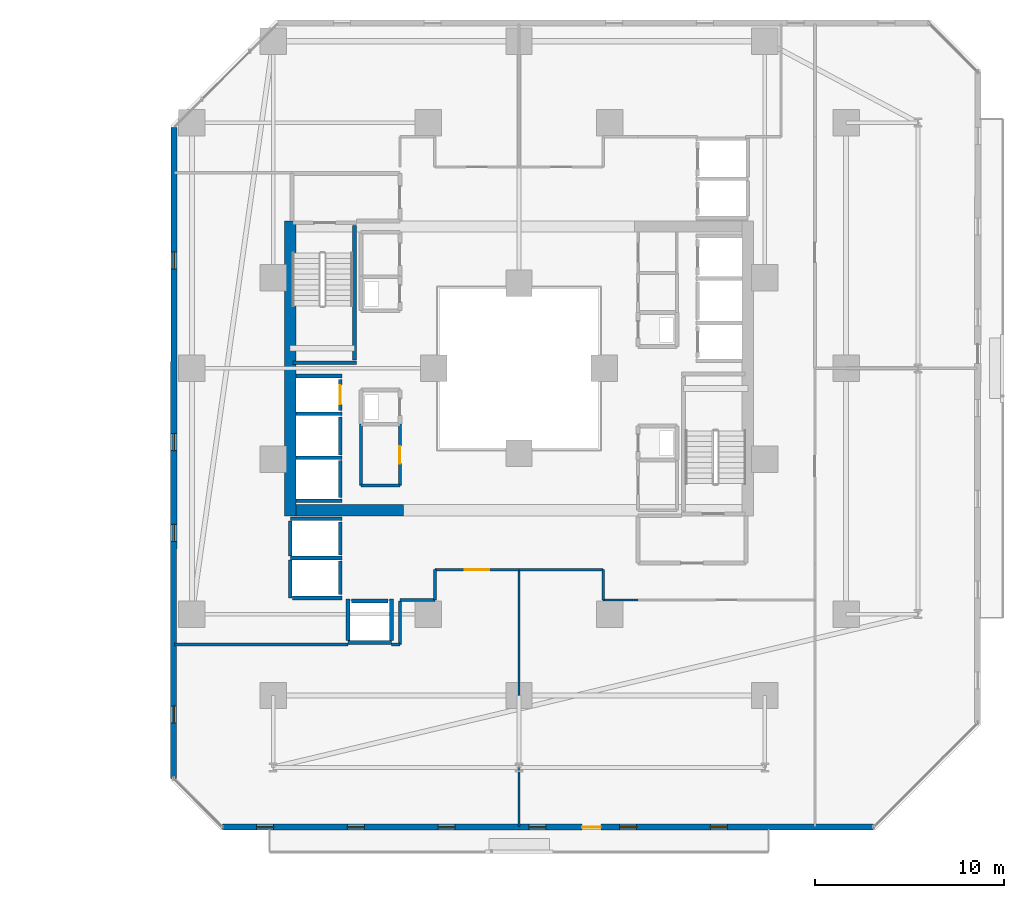
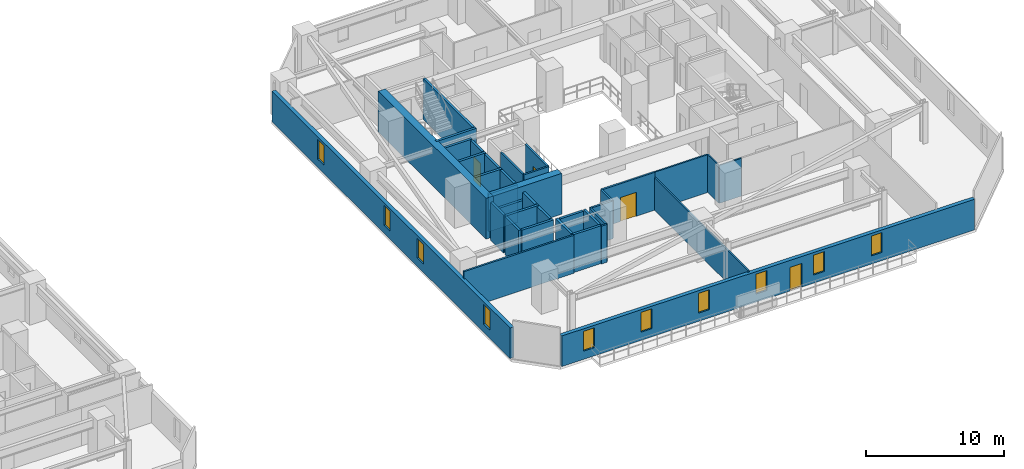
# One storey, part 22 of 33: 37 walls, 10 windows, 4 doors, 14 openings.
"""IFC4 building model written with IfcOpenShell, lengths in metres."""

from ifc_helpers import new_model, si_unit, direction, frame, frame_2d, origin, place, context, subcontext, project, spatial, rectangle, extrude, material, layer, layer_set, type_object, element, fill, save


model = new_model("IFC4")

# Units and contexts
model_context = context("Model", 3, precision=1e-05, world=origin(), true_north=direction((0.0, 1.0)))
body_context = subcontext(model_context, "Body", "Model", "MODEL_VIEW")
ifc_project = project(units=[si_unit("LENGTHUNIT", "METRE"), si_unit("AREAUNIT", "SQUARE_METRE"), si_unit("VOLUMEUNIT", "CUBIC_METRE"), si_unit("PLANEANGLEUNIT", "RADIAN"), si_unit("MASSUNIT", "GRAM", prefix="KILO")], contexts=[model_context])

# Site, building, storey
site_placement = place(None, origin())
site = spatial("IfcSite", under=ifc_project, at=site_placement, CompositionType="ELEMENT")
building_placement = place(site_placement, origin())
building = spatial("IfcBuilding", under=site, at=building_placement, Name="Thornwick Lancets Civic Towers", CompositionType="ELEMENT")
storey_placement = place(building_placement, frame((0.0, 0.0, 35.10009765625)))
storey = spatial("IfcBuildingStorey", under=building, at=storey_placement, Name="L08", CompositionType="ELEMENT", Elevation=35.10009765625)

# Wall, opening, door
ifc_material_1 = material(Name="Concrete blockwork C40/50", Category="masonry")
ifc_layer_1 = layer(ifc_material_1, 0.199951171875, Name="Concrete blockwork C40/50")
ifc_layer_set_1 = layer_set([ifc_layer_1], Name="Concrete blockwork C40/50")
wall_type_1 = type_object("IfcWallType", Name="WALL_COMP_200", PredefinedType="STANDARD", material=ifc_layer_set_1)
wall_1_placement = place(storey_placement, frame((79.050048828125, 24.780029296875, 0.0), z_axis=(0.0, 0.0, 1.0), x_axis=(0.0, 1.0, 0.0)))
wall_1 = element("IfcWall", 1, at=wall_1_placement, inside=storey, type_object=wall_type_1, Name="L08 Hoistway Front Wall FL-B2", PredefinedType="STANDARD", context=body_context, shape_type="SweptSolid", body=[
    extrude(rectangle(XDim=1.639892578125, YDim=0.199951171875, at=frame_2d((0.81982421875, 0.0))), origin(), (0.0, 0.0, 1.0), 3.33984375),
])
opening_1_placement = place(wall_1_placement, frame((0.31005859375, 0.0, 0.0)))
opening_1 = element("IfcOpeningElement", 2, at=opening_1_placement, cuts=wall_1, Name="Opening LD-FL-B2", PredefinedType="OPENING", context=body_context, shape_type="SweptSolid", body=[
    extrude(rectangle(XDim=1.02001953125, YDim=2.06005859375, at=frame_2d((0.510009765625, 1.030029296875))), frame((0.0, 0.10986328125, 0.0), z_axis=(0.0, -1.0, 0.0), x_axis=(1.0, 0.0, 0.0)), (0.0, 0.0, 1.0), 0.219970703125),
])
ifc_material_2 = material(Name="Brushed bronze stainless steel", Category="steel")
door_type_1 = type_object("IfcDoorType", Name="DOOR_LIFT_SLIDE", OperationType="SLIDING_TO_LEFT", PredefinedType="DOOR", material=ifc_material_2)
door_1_placement = place(opening_1_placement, origin())
door_1 = element("IfcDoor", 3, at=door_1_placement, inside=storey, type_object=door_type_1, Name="L08 Sliding Lift Landing Door LD-FL-B2", OperationType="SLIDING_TO_LEFT", OverallHeight=2.06005859375, OverallWidth=1.02001953125, PredefinedType="DOOR", context=body_context, shape_type="SweptSolid", body=[
    extrude(rectangle(XDim=1.02001953125, YDim=2.06005859375, at=frame_2d((0.510009765625, 1.030029296875))), frame((0.0, 0.02490234375, 0.0), z_axis=(0.0, -1.0, 0.0), x_axis=(1.0, 0.0, 0.0)), (0.0, 0.0, 1.0), 0.050048828125),
])
fill(opening_1, door_1)

# Walls
wall_2_placement = place(storey_placement, frame((79.050048828125, 22.429931640625, 0.0), z_axis=(0.0, 0.0, 1.0), x_axis=(0.0, 1.0, 0.0)))
element("IfcWall", 4, at=wall_2_placement, inside=storey, type_object=wall_type_1, Name="L08 Hoistway Front Wall PL-BH2", PredefinedType="STANDARD", context=body_context, shape_type="SweptSolid", body=[
    extrude(rectangle(XDim=1.989990234375, YDim=0.199951171875, at=frame_2d((0.9951171875, 0.0))), origin(), (0.0, 0.0, 1.0), 3.33984375),
])
wall_3_placement = place(storey_placement, frame((79.050048828125, 20.179931640625, 0.0), z_axis=(0.0, 0.0, 1.0), x_axis=(0.0, 1.0, 0.0)))
element("IfcWall", 5, at=wall_3_placement, inside=storey, type_object=wall_type_1, Name="L08 Hoistway Front Wall PL-BH3", PredefinedType="STANDARD", context=body_context, shape_type="SweptSolid", body=[
    extrude(rectangle(XDim=1.940185546875, YDim=0.199951171875, at=frame_2d((0.97021484375, 0.0))), origin(), (0.0, 0.0, 1.0), 3.33984375),
])
wall_4_placement = place(storey_placement, frame((79.050048828125, 17.1298828125, 0.0), z_axis=(0.0, 0.0, 1.0), x_axis=(0.0, 1.0, 0.0)))
element("IfcWall", 6, at=wall_4_placement, inside=storey, type_object=wall_type_1, Name="L08 Hoistway Front Wall PL-BM1", PredefinedType="STANDARD", context=body_context, shape_type="SweptSolid", body=[
    extrude(rectangle(XDim=1.740234375, YDim=0.199951171875, at=frame_2d((0.8701171875, 0.0))), origin(), (0.0, 0.0, 1.0), 3.33984375),
])
wall_5_placement = place(storey_placement, frame((79.050048828125, 15.030029296875, 0.0), z_axis=(0.0, 0.0, 1.0), x_axis=(0.0, 1.0, 0.0)))
element("IfcWall", 7, at=wall_5_placement, inside=storey, type_object=wall_type_1, Name="L08 Hoistway Front Wall PL-BM2", PredefinedType="STANDARD", context=body_context, shape_type="SweptSolid", body=[
    extrude(rectangle(XDim=1.7900390625, YDim=0.199951171875, at=frame_2d((0.89501953125, 0.0))), origin(), (0.0, 0.0, 1.0), 3.33984375),
])
wall_6_placement = place(storey_placement, frame((79.6298828125, 14.699951171875, 0.0), z_axis=(0.0, 0.0, 1.0), x_axis=(1.0, 0.0, 0.0)))
element("IfcWall", 8, at=wall_6_placement, inside=storey, type_object=wall_type_1, Name="L08 Hoistway Front Wall PL-BM3", PredefinedType="STANDARD", context=body_context, shape_type="SweptSolid", body=[
    extrude(rectangle(XDim=1.940185546875, YDim=0.199951171875, at=frame_2d((0.97021484375, 0.0))), origin(), (0.0, 0.0, 1.0), 3.33984375),
])
for number, where, z_axis, x_axis, name in (
    (9, (76.7119140625, 26.60009765625, 0.0), (0.0, 0.0, 1.0), (1.0, 0.0, 0.0), "L08 Hoistway Shaft Wall FL-B2 N"),
    (10, (76.7119140625, 24.60009765625, 0.0), (0.0, 0.0, 1.0), (1.0, 0.0, 0.0), "L08 Hoistway Shaft Wall FL-B2 S"),
    (11, (76.7119140625, 22.27490234375, 0.0), (0.0, 0.0, 1.0), (1.0, 0.0, 0.0), "L08 Hoistway Shaft Wall PL-BH2 S"),
    (12, (76.7119140625, 20.0, 0.0), (0.0, 0.0, 1.0), (1.0, 0.0, 0.0), "L08 Hoistway Shaft Wall PL-BH3 S"),
):
    element("IfcWall", number, at=place(storey_placement, frame(where, z_axis=z_axis, x_axis=x_axis)), inside=storey, type_object=wall_type_1, Name=name, PredefinedType="STANDARD", context=body_context, shape_type="SweptSolid", body=[
        extrude(rectangle(XDim=2.43603515625, YDim=0.199951171875, at=frame_2d((1.218017578125, 0.0))), origin(), (0.0, 0.0, 1.0), 3.33984375),
    ])
wall_7_placement = place(storey_placement, frame((76.402099609375, 19.050048828125, 0.0), z_axis=(0.0, 0.0, 1.0), x_axis=(1.0, 0.0, 0.0)))
element("IfcWall", 13, at=wall_7_placement, inside=storey, type_object=wall_type_1, Name="L08 Hoistway Shaft Wall PL-BM1 N", PredefinedType="STANDARD", context=body_context, shape_type="SweptSolid", body=[
    extrude(rectangle(XDim=2.745849609375, YDim=0.199951171875, at=frame_2d((1.373046875, 0.0))), origin(), (0.0, 0.0, 1.0), 2.544921875),
])
wall_8_placement = place(storey_placement, frame((76.402099609375, 16.97509765625, 0.0), z_axis=(0.0, 0.0, 1.0), x_axis=(1.0, 0.0, 0.0)))
element("IfcWall", 14, at=wall_8_placement, inside=storey, type_object=wall_type_1, Name="L08 Hoistway Shaft Wall PL-BM1 S", PredefinedType="STANDARD", context=body_context, shape_type="SweptSolid", body=[
    extrude(rectangle(XDim=2.745849609375, YDim=0.199951171875, at=frame_2d((1.373046875, 0.0))), origin(), (0.0, 0.0, 1.0), 3.33984375),
])
wall_9_placement = place(storey_placement, frame((76.39990234375, 14.85205078125, 0.0), z_axis=(0.0, 0.0, 1.0), x_axis=(0.0, 1.0, 0.0)))
element("IfcWall", 15, at=wall_9_placement, inside=storey, type_object=wall_type_1, Name="L08 Hoistway Shaft Wall PL-BM1 W", PredefinedType="STANDARD", context=body_context, shape_type="SweptSolid", body=[
    extrude(rectangle(XDim=2.015869140625, YDim=0.199951171875, at=frame_2d((1.0078125, 0.0))), origin(), (0.0, 0.0, 1.0), 3.33984375),
])
wall_10_placement = place(storey_placement, frame((76.39990234375, 17.08203125, 0.0), z_axis=(0.0, 0.0, 1.0), x_axis=(0.0, 1.0, 0.0)))
element("IfcWall", 16, at=wall_10_placement, inside=storey, type_object=wall_type_1, Name="L08 Hoistway Shaft Wall PL-BM1 W", PredefinedType="STANDARD", context=body_context, shape_type="SweptSolid", body=[
    extrude(rectangle(XDim=1.85595703125, YDim=0.199951171875, at=frame_2d((0.927978515625, 0.0))), origin(), (0.0, 0.0, 1.0), 3.33984375),
])
wall_11_placement = place(storey_placement, frame((76.511962890625, 14.85009765625, 0.0), z_axis=(0.0, 0.0, 1.0), x_axis=(1.0, 0.0, 0.0)))
element("IfcWall", 17, at=wall_11_placement, inside=storey, type_object=wall_type_1, Name="L08 Hoistway Shaft Wall PL-BM2 S", PredefinedType="STANDARD", context=body_context, shape_type="SweptSolid", body=[
    extrude(rectangle(XDim=2.635986328125, YDim=0.199951171875, at=frame_2d((1.31787109375, 0.0))), origin(), (0.0, 0.0, 1.0), 3.33984375),
])
wall_12_placement = place(storey_placement, frame((79.451904296875, 12.5, 0.0), z_axis=(0.0, 0.0, 1.0), x_axis=(1.0, 0.0, 0.0)))
element("IfcWall", 18, at=wall_12_placement, inside=storey, type_object=wall_type_1, Name="L08 Hoistway Shaft Wall PL-BM3 S", PredefinedType="STANDARD", context=body_context, shape_type="SweptSolid", body=[
    extrude(rectangle(XDim=2.296142578125, YDim=0.199951171875, at=frame_2d((1.14794921875, 0.0))), origin(), (0.0, 0.0, 1.0), 3.33984375),
])
for number, where, z_axis, x_axis, name in (
    (19, (81.75, 12.612060546875, 0.0), (0.0, 0.0, 1.0), (0.0, 1.0, 0.0), "L08 Hoistway Shaft Wall PL-BM3 E"),
    (20, (79.449951171875, 12.612060546875, 0.0), (0.0, 0.0, 1.0), (0.0, 1.0, 0.0), "L08 Hoistway Shaft Wall PL-BM3 W"),
):
    element("IfcWall", number, at=place(storey_placement, frame(where, z_axis=z_axis, x_axis=x_axis)), inside=storey, type_object=wall_type_1, Name=name, PredefinedType="STANDARD", context=body_context, shape_type="SweptSolid", body=[
        extrude(rectangle(XDim=2.18603515625, YDim=0.199951171875, at=frame_2d((1.093017578125, 0.0))), origin(), (0.0, 0.0, 1.0), 3.33984375),
    ])
ifc_material_3 = material(Name="Concrete C60/75", Category="concrete")
ifc_layer_2 = layer(ifc_material_3, 0.60009765625, Name="Concrete C60/75")
ifc_layer_set_2 = layer_set([ifc_layer_2], Name="Concrete C60/75")
wall_type_2 = type_object("IfcWallType", Name="WALL_CORE_600", PredefinedType="SHEAR", material=ifc_layer_set_2)
wall_13_placement = place(storey_placement, frame((76.39990234375, 19.199951171875, 0.0), z_axis=(0.0, 0.0, 1.0), x_axis=(0.0, 1.0, 0.0)))
element("IfcWall", 21, at=wall_13_placement, inside=storey, type_object=wall_type_2, Name="L08 Split Core B2 Shear Wall W", PredefinedType="SHEAR", context=body_context, shape_type="SweptSolid", body=[
    extrude(rectangle(XDim=15.60009765625, YDim=0.60009765625, at=frame_2d((7.800048828125, 0.0))), origin(), (0.0, 0.0, 1.0), 3.599853515625),
])
wall_14_placement = place(storey_placement, frame((76.699951171875, 19.5, 0.0), z_axis=(0.0, 0.0, 1.0), x_axis=(1.0, 0.0, 0.0)))
element("IfcWall", 22, at=wall_14_placement, inside=storey, type_object=wall_type_2, Name="L08 Split Core B2 Shear Wall S", PredefinedType="SHEAR", context=body_context, shape_type="SweptSolid", body=[
    extrude(rectangle(XDim=5.699951171875, YDim=0.60009765625, at=frame_2d((2.85009765625, 0.0))), origin(), (0.0, 0.0, 1.0), 3.599853515625),
])

# Wall, openings, door, windows
ifc_material_4 = material(Name="Insulated buff terracotta rainscreen on concrete C40/50", Category="masonry")
ifc_layer_3 = layer(ifc_material_4, 0.320068359375, Name="Insulated buff terracotta rainscreen on concrete C40/50")
ifc_layer_set_3 = layer_set([ifc_layer_3], Name="Insulated buff terracotta rainscreen on concrete C40/50")
wall_type_3 = type_object("IfcWallType", Name="WALL_EXT_TERRA_320", PredefinedType="STANDARD", material=ifc_layer_set_3)
wall_15_placement = place(storey_placement, frame((72.81884765625, 2.735107421875, 0.0), z_axis=(0.0, 0.0, 1.0), x_axis=(0.999999961759, 0.000276554545, 0.0)))
wall_15 = element("IfcWall", 23, at=wall_15_placement, inside=storey, type_object=wall_type_3, Name="L08 Tower B Terracotta Facade Wall E0", PredefinedType="STANDARD", context=body_context, shape_type="SweptSolid", body=[
    extrude(rectangle(XDim=34.428955078125, YDim=0.320068359375, at=frame_2d((17.21435546875, 0.0))), origin(), (0.0, 0.0, 1.0), 2.699951171875),
])
opening_2_placement = place(wall_15_placement, frame((19.014404296875, 0.0, 0.0)))
opening_2 = element("IfcOpeningElement", 24, at=opening_2_placement, cuts=wall_15, Name="Opening D-BL-L08-BS", PredefinedType="OPENING", context=body_context, shape_type="SweptSolid", body=[
    extrude(rectangle(XDim=1.0, YDim=2.080078125, at=frame_2d((0.5, 1.0400390625))), frame((0.0, 0.169921875, 0.0), z_axis=(0.0, -1.0, 0.0), x_axis=(1.0, 0.0, 0.0)), (0.0, 0.0, 1.0), 0.340087890625),
])
opening_3_placement = place(wall_15_placement, frame((1.800048828125, 0.0, 0.719970703125)))
opening_3 = element("IfcOpeningElement", 25, at=opening_3_placement, cuts=wall_15, Name="Opening WL-01", PredefinedType="OPENING", context=body_context, shape_type="SweptSolid", body=[
    extrude(rectangle(XDim=0.89990234375, YDim=1.75, at=frame_2d((0.449951171875, 0.875))), frame((0.0, 0.169921875, 0.0), z_axis=(0.0, -1.0, 0.0), x_axis=(1.0, 0.0, 0.0)), (0.0, 0.0, 1.0), 0.340087890625),
])
opening_4_placement = place(wall_15_placement, frame((6.60009765625, 0.0, 0.719970703125)))
opening_4 = element("IfcOpeningElement", 26, at=opening_4_placement, cuts=wall_15, Name="Opening WL-01", PredefinedType="OPENING", context=body_context, shape_type="SweptSolid", body=[
    extrude(rectangle(XDim=0.89990234375, YDim=1.75, at=frame_2d((0.449951171875, 0.875))), frame((0.0, 0.169921875, 0.0), z_axis=(0.0, -1.0, 0.0), x_axis=(1.0, 0.0, 0.0)), (0.0, 0.0, 1.0), 0.340087890625),
])
opening_5_placement = place(wall_15_placement, frame((11.39990234375, 0.0, 0.719970703125)))
opening_5 = element("IfcOpeningElement", 27, at=opening_5_placement, cuts=wall_15, Name="Opening WL-01", PredefinedType="OPENING", context=body_context, shape_type="SweptSolid", body=[
    extrude(rectangle(XDim=0.89990234375, YDim=1.75, at=frame_2d((0.449951171875, 0.875))), frame((0.0, 0.169921875, 0.0), z_axis=(0.0, -1.0, 0.0), x_axis=(1.0, 0.0, 0.0)), (0.0, 0.0, 1.0), 0.340087890625),
])
opening_6_placement = place(wall_15_placement, frame((16.199951171875, 0.0, 0.719970703125)))
opening_6 = element("IfcOpeningElement", 28, at=opening_6_placement, cuts=wall_15, Name="Opening WL-01", PredefinedType="OPENING", context=body_context, shape_type="SweptSolid", body=[
    extrude(rectangle(XDim=0.89990234375, YDim=1.75, at=frame_2d((0.449951171875, 0.875))), frame((0.0, 0.169921875, 0.0), z_axis=(0.0, -1.0, 0.0), x_axis=(1.0, 0.0, 0.0)), (0.0, 0.0, 1.0), 0.340087890625),
])
opening_7_placement = place(wall_15_placement, frame((21.0, 0.0, 0.719970703125)))
opening_7 = element("IfcOpeningElement", 29, at=opening_7_placement, cuts=wall_15, Name="Opening WL-01", PredefinedType="OPENING", context=body_context, shape_type="SweptSolid", body=[
    extrude(rectangle(XDim=0.89990234375, YDim=1.75, at=frame_2d((0.449951171875, 0.875))), frame((0.0, 0.169921875, 0.0), z_axis=(0.0, -1.0, 0.0), x_axis=(1.0, 0.0, 0.0)), (0.0, 0.0, 1.0), 0.340087890625),
])
opening_8_placement = place(wall_15_placement, frame((25.800048828125, 0.0, 0.719970703125)))
opening_8 = element("IfcOpeningElement", 30, at=opening_8_placement, cuts=wall_15, Name="Opening WL-01", PredefinedType="OPENING", context=body_context, shape_type="SweptSolid", body=[
    extrude(rectangle(XDim=0.89990234375, YDim=1.75, at=frame_2d((0.449951171875, 0.875))), frame((0.0, 0.169921875, 0.0), z_axis=(0.0, -1.0, 0.0), x_axis=(1.0, 0.0, 0.0)), (0.0, 0.0, 1.0), 0.340087890625),
])
ifc_material_5 = material(Name="Thermally broken glazed loggia doorset")
door_type_2 = type_object("IfcDoorType", Name="DOOR_BALC_1000", OperationType="NOTDEFINED", PredefinedType="DOOR", material=ifc_material_5)
door_2_placement = place(opening_2_placement, origin())
door_2 = element("IfcDoor", 31, at=door_2_placement, inside=storey, type_object=door_type_2, Name="L08 Tower B Loggia Balcony Door S", OperationType="SINGLE_SWING_LEFT", OverallHeight=2.080078125, OverallWidth=1.0, PredefinedType="DOOR", context=body_context, shape_type="SweptSolid", body=[
    extrude(rectangle(XDim=1.0, YDim=2.080078125, at=frame_2d((0.5, 1.0400390625))), frame((0.0, 0.02490234375, 0.0), z_axis=(0.0, -1.0, 0.0), x_axis=(1.0, 0.0, 0.0)), (0.0, 0.0, 1.0), 0.050048828125),
])
fill(opening_2, door_2)
ifc_material_6 = material(Name="Clear low-e double glazing in bronze frame", Category="glass")
window_type = type_object("IfcWindowType", Name="WIN_LANCET_900", PartitioningType="SINGLE_PANEL", PredefinedType="WINDOW", material=ifc_material_6)
window_1_placement = place(opening_3_placement, origin())
window_1 = element("IfcWindow", 32, at=window_1_placement, inside=storey, type_object=window_type, Name="L08 Tower B Staggered Lancet Window E0-1", OverallHeight=1.75, OverallWidth=0.89990234375, PartitioningType="SINGLE_PANEL", PredefinedType="WINDOW", context=body_context, shape_type="SweptSolid", body=[
    extrude(rectangle(XDim=0.89990234375, YDim=1.75, at=frame_2d((0.449951171875, 0.875))), frame((0.0, 0.030029296875, 0.0), z_axis=(0.0, -1.0, 0.0), x_axis=(1.0, 0.0, 0.0)), (0.0, 0.0, 1.0), 0.06005859375),
])
fill(opening_3, window_1)
window_2_placement = place(opening_4_placement, origin())
window_2 = element("IfcWindow", 33, at=window_2_placement, inside=storey, type_object=window_type, Name="L08 Tower B Staggered Lancet Window E0-2", OverallHeight=1.75, OverallWidth=0.89990234375, PartitioningType="SINGLE_PANEL", PredefinedType="WINDOW", context=body_context, shape_type="SweptSolid", body=[
    extrude(rectangle(XDim=0.89990234375, YDim=1.75, at=frame_2d((0.449951171875, 0.875))), frame((0.0, 0.030029296875, 0.0), z_axis=(0.0, -1.0, 0.0), x_axis=(1.0, 0.0, 0.0)), (0.0, 0.0, 1.0), 0.06005859375),
])
fill(opening_4, window_2)
window_3_placement = place(opening_5_placement, origin())
window_3 = element("IfcWindow", 34, at=window_3_placement, inside=storey, type_object=window_type, Name="L08 Tower B Staggered Lancet Window E0-3", OverallHeight=1.75, OverallWidth=0.89990234375, PartitioningType="SINGLE_PANEL", PredefinedType="WINDOW", context=body_context, shape_type="SweptSolid", body=[
    extrude(rectangle(XDim=0.89990234375, YDim=1.75, at=frame_2d((0.449951171875, 0.875))), frame((0.0, 0.030029296875, 0.0), z_axis=(0.0, -1.0, 0.0), x_axis=(1.0, 0.0, 0.0)), (0.0, 0.0, 1.0), 0.06005859375),
])
fill(opening_5, window_3)
window_4_placement = place(opening_6_placement, origin())
window_4 = element("IfcWindow", 35, at=window_4_placement, inside=storey, type_object=window_type, Name="L08 Tower B Staggered Lancet Window E0-4", OverallHeight=1.75, OverallWidth=0.89990234375, PartitioningType="SINGLE_PANEL", PredefinedType="WINDOW", context=body_context, shape_type="SweptSolid", body=[
    extrude(rectangle(XDim=0.89990234375, YDim=1.75, at=frame_2d((0.449951171875, 0.875))), frame((0.0, 0.030029296875, 0.0), z_axis=(0.0, -1.0, 0.0), x_axis=(1.0, 0.0, 0.0)), (0.0, 0.0, 1.0), 0.06005859375),
])
fill(opening_6, window_4)
window_5_placement = place(opening_7_placement, origin())
window_5 = element("IfcWindow", 36, at=window_5_placement, inside=storey, type_object=window_type, Name="L08 Tower B Staggered Lancet Window E0-5", OverallHeight=1.75, OverallWidth=0.89990234375, PartitioningType="SINGLE_PANEL", PredefinedType="WINDOW", context=body_context, shape_type="SweptSolid", body=[
    extrude(rectangle(XDim=0.89990234375, YDim=1.75, at=frame_2d((0.449951171875, 0.875))), frame((0.0, 0.030029296875, 0.0), z_axis=(0.0, -1.0, 0.0), x_axis=(1.0, 0.0, 0.0)), (0.0, 0.0, 1.0), 0.06005859375),
])
fill(opening_7, window_5)
window_6_placement = place(opening_8_placement, origin())
window_6 = element("IfcWindow", 37, at=window_6_placement, inside=storey, type_object=window_type, Name="L08 Tower B Staggered Lancet Window E0-6", OverallHeight=1.75, OverallWidth=0.89990234375, PartitioningType="SINGLE_PANEL", PredefinedType="WINDOW", context=body_context, shape_type="SweptSolid", body=[
    extrude(rectangle(XDim=0.89990234375, YDim=1.75, at=frame_2d((0.449951171875, 0.875))), frame((0.0, 0.030029296875, 0.0), z_axis=(0.0, -1.0, 0.0), x_axis=(1.0, 0.0, 0.0)), (0.0, 0.0, 1.0), 0.06005859375),
])
fill(opening_8, window_6)

# Wall, openings, windows
wall_16_placement = place(storey_placement, frame((70.24462890625, 39.747802734375, 0.0), z_axis=(0.0, 0.0, 1.0), x_axis=(-0.000276554545, -0.999999961759, 0.0)))
wall_16 = element("IfcWall", 38, at=wall_16_placement, inside=storey, type_object=wall_type_3, Name="L08 Tower B Terracotta Facade Wall E6", PredefinedType="STANDARD", context=body_context, shape_type="SweptSolid", body=[
    extrude(rectangle(XDim=34.428955078125, YDim=0.320068359375, at=frame_2d((17.21435546875, 0.0))), origin(), (0.0, 0.0, 1.0), 2.699951171875),
])
opening_9_placement = place(wall_16_placement, frame((6.60009765625, 0.0, 0.719970703125)))
opening_9 = element("IfcOpeningElement", 39, at=opening_9_placement, cuts=wall_16, Name="Opening WL-01", PredefinedType="OPENING", context=body_context, shape_type="SweptSolid", body=[
    extrude(rectangle(XDim=0.89990234375, YDim=1.75, at=frame_2d((0.449951171875, 0.875))), frame((0.0, 0.169921875, 0.0), z_axis=(0.0, -1.0, 0.0), x_axis=(1.0, 0.0, 0.0)), (0.0, 0.0, 1.0), 0.340087890625),
])
opening_10_placement = place(wall_16_placement, frame((16.199951171875, 0.0, 0.719970703125)))
opening_10 = element("IfcOpeningElement", 40, at=opening_10_placement, cuts=wall_16, Name="Opening WL-01", PredefinedType="OPENING", context=body_context, shape_type="SweptSolid", body=[
    extrude(rectangle(XDim=0.89990234375, YDim=1.75, at=frame_2d((0.449951171875, 0.875))), frame((0.0, 0.169921875, 0.0), z_axis=(0.0, -1.0, 0.0), x_axis=(1.0, 0.0, 0.0)), (0.0, 0.0, 1.0), 0.340087890625),
])
opening_11_placement = place(wall_16_placement, frame((21.0, 0.0, 0.719970703125)))
opening_11 = element("IfcOpeningElement", 41, at=opening_11_placement, cuts=wall_16, Name="Opening WL-01", PredefinedType="OPENING", context=body_context, shape_type="SweptSolid", body=[
    extrude(rectangle(XDim=0.89990234375, YDim=1.75, at=frame_2d((0.449951171875, 0.875))), frame((0.0, 0.169921875, 0.0), z_axis=(0.0, -1.0, 0.0), x_axis=(1.0, 0.0, 0.0)), (0.0, 0.0, 1.0), 0.340087890625),
])
opening_12_placement = place(wall_16_placement, frame((30.60009765625, 0.0, 0.719970703125)))
opening_12 = element("IfcOpeningElement", 42, at=opening_12_placement, cuts=wall_16, Name="Opening WL-01", PredefinedType="OPENING", context=body_context, shape_type="SweptSolid", body=[
    extrude(rectangle(XDim=0.89990234375, YDim=1.75, at=frame_2d((0.449951171875, 0.875))), frame((0.0, 0.169921875, 0.0), z_axis=(0.0, -1.0, 0.0), x_axis=(1.0, 0.0, 0.0)), (0.0, 0.0, 1.0), 0.340087890625),
])
window_7_placement = place(opening_9_placement, origin())
window_7 = element("IfcWindow", 43, at=window_7_placement, inside=storey, type_object=window_type, Name="L08 Tower B Staggered Lancet Window E6-1", OverallHeight=1.75, OverallWidth=0.89990234375, PartitioningType="SINGLE_PANEL", PredefinedType="WINDOW", context=body_context, shape_type="SweptSolid", body=[
    extrude(rectangle(XDim=0.89990234375, YDim=1.75, at=frame_2d((0.449951171875, 0.875))), frame((0.0, 0.030029296875, 0.0), z_axis=(0.0, -1.0, 0.0), x_axis=(1.0, 0.0, 0.0)), (0.0, 0.0, 1.0), 0.06005859375),
])
fill(opening_9, window_7)
window_8_placement = place(opening_10_placement, origin())
window_8 = element("IfcWindow", 44, at=window_8_placement, inside=storey, type_object=window_type, Name="L08 Tower B Staggered Lancet Window E6-2", OverallHeight=1.75, OverallWidth=0.89990234375, PartitioningType="SINGLE_PANEL", PredefinedType="WINDOW", context=body_context, shape_type="SweptSolid", body=[
    extrude(rectangle(XDim=0.89990234375, YDim=1.75, at=frame_2d((0.449951171875, 0.875))), frame((0.0, 0.030029296875, 0.0), z_axis=(0.0, -1.0, 0.0), x_axis=(1.0, 0.0, 0.0)), (0.0, 0.0, 1.0), 0.06005859375),
])
fill(opening_10, window_8)
window_9_placement = place(opening_11_placement, origin())
window_9 = element("IfcWindow", 45, at=window_9_placement, inside=storey, type_object=window_type, Name="L08 Tower B Staggered Lancet Window E6-3", OverallHeight=1.75, OverallWidth=0.89990234375, PartitioningType="SINGLE_PANEL", PredefinedType="WINDOW", context=body_context, shape_type="SweptSolid", body=[
    extrude(rectangle(XDim=0.89990234375, YDim=1.75, at=frame_2d((0.449951171875, 0.875))), frame((0.0, 0.030029296875, 0.0), z_axis=(0.0, -1.0, 0.0), x_axis=(1.0, 0.0, 0.0)), (0.0, 0.0, 1.0), 0.06005859375),
])
fill(opening_11, window_9)
window_10_placement = place(opening_12_placement, origin())
window_10 = element("IfcWindow", 46, at=window_10_placement, inside=storey, type_object=window_type, Name="L08 Tower B Staggered Lancet Window E6-4", OverallHeight=1.75, OverallWidth=0.89990234375, PartitioningType="SINGLE_PANEL", PredefinedType="WINDOW", context=body_context, shape_type="SweptSolid", body=[
    extrude(rectangle(XDim=0.89990234375, YDim=1.75, at=frame_2d((0.449951171875, 0.875))), frame((0.0, 0.030029296875, 0.0), z_axis=(0.0, -1.0, 0.0), x_axis=(1.0, 0.0, 0.0)), (0.0, 0.0, 1.0), 0.06005859375),
])
fill(opening_12, window_10)

# Walls
ifc_material_7 = material(Name="Acoustic gypsum board partition")
ifc_layer_4 = layer(ifc_material_7, 0.1201171875, Name="Acoustic gypsum board partition")
ifc_layer_set_4 = layer_set([ifc_layer_4], Name="Acoustic gypsum board partition")
wall_type_4 = type_object("IfcWallType", Name="WALL_PART_120", PredefinedType="PARTITIONING", material=ifc_layer_set_4)
wall_17_placement = place(storey_placement, frame((92.949951171875, 16.35009765625, 0.0), z_axis=(0.0, 0.0, 1.0), x_axis=(0.0, -1.0, 0.0)))
element("IfcWall", 47, at=wall_17_placement, inside=storey, type_object=wall_type_4, Name="L08 Partition L08-B-W1 E1", PredefinedType="PARTITIONING", context=body_context, shape_type="SweptSolid", body=[
    extrude(rectangle(XDim=1.60009765625, YDim=0.1201171875, at=frame_2d((0.800048828125, 0.0))), origin(), (0.0, 0.0, 1.0), 3.33984375),
])
wall_18_placement = place(storey_placement, frame((92.949951171875, 14.75, 0.0), z_axis=(0.0, 0.0, 1.0), x_axis=(1.0, 0.0, 0.0)))
element("IfcWall", 48, at=wall_18_placement, inside=storey, type_object=wall_type_4, Name="L08 Partition L08-B-W1 E2", PredefinedType="PARTITIONING", context=body_context, shape_type="SweptSolid", body=[
    extrude(rectangle(XDim=1.85009765625, YDim=0.1201171875, at=frame_2d((0.925048828125, 0.0))), origin(), (0.0, 0.0, 1.0), 3.33984375),
])
wall_19_placement = place(storey_placement, frame((88.5, 2.780029296875, 0.0), z_axis=(0.0, 0.0, 1.0), x_axis=(0.0, 1.0, 0.0)))
element("IfcWall", 49, at=wall_19_placement, inside=storey, type_object=wall_type_4, Name="L08 Partition L08-B-W1 E6", PredefinedType="PARTITIONING", context=body_context, shape_type="SweptSolid", body=[
    extrude(rectangle(XDim=13.570068359375, YDim=0.1201171875, at=frame_2d((6.78515625, 0.0))), origin(), (0.0, 0.0, 1.0), 2.877685546875),
])
wall_20_placement = place(storey_placement, frame((88.5, 16.35009765625, 0.0), z_axis=(0.0, 0.0, 1.0), x_axis=(1.0, 0.0, 0.0)))
element("IfcWall", 50, at=wall_20_placement, inside=storey, type_object=wall_type_4, Name="L08 Partition L08-B-W1 E7", PredefinedType="PARTITIONING", context=body_context, shape_type="SweptSolid", body=[
    extrude(rectangle(XDim=4.449951171875, YDim=0.1201171875, at=frame_2d((2.22509765625, 0.0))), origin(), (0.0, 0.0, 1.0), 3.33984375),
])
ifc_material_8 = material(Name="Twin-stud acoustic gypsum board")
ifc_layer_5 = layer(ifc_material_8, 0.14990234375, Name="Twin-stud acoustic gypsum board")
ifc_layer_set_5 = layer_set([ifc_layer_5], Name="Twin-stud acoustic gypsum board")
wall_type_5 = type_object("IfcWallType", Name="WALL_PART_150", PredefinedType="PARTITIONING", material=ifc_layer_set_5)
wall_21_placement = place(storey_placement, frame((82.199951171875, 20.800048828125, 0.0), z_axis=(0.0, 0.0, 1.0), x_axis=(-1.0, 0.0, 0.0)))
element("IfcWall", 51, at=wall_21_placement, inside=storey, type_object=wall_type_5, Name="L08 Partition L08-B-FWC E1", PredefinedType="PARTITIONING", context=body_context, shape_type="SweptSolid", body=[
    extrude(rectangle(XDim=2.050048828125, YDim=0.14990234375, at=frame_2d((1.02490234375, 0.0))), origin(), (0.0, 0.0, 1.0), 3.33984375),
])
wall_22_placement = place(storey_placement, frame((80.14990234375, 20.800048828125, 0.0), z_axis=(0.0, 0.0, 1.0), x_axis=(0.0, 1.0, 0.0)))
element("IfcWall", 52, at=wall_22_placement, inside=storey, type_object=wall_type_5, Name="L08 Partition L08-B-FWC E2", PredefinedType="PARTITIONING", context=body_context, shape_type="SweptSolid", body=[
    extrude(rectangle(XDim=3.25, YDim=0.14990234375, at=frame_2d((1.625, 0.0))), origin(), (0.0, 0.0, 1.0), 3.33984375),
])

# Wall, opening, door
wall_23_placement = place(storey_placement, frame((82.199951171875, 24.050048828125, 0.0), z_axis=(0.0, 0.0, 1.0), x_axis=(0.0, -1.0, 0.0)))
wall_23 = element("IfcWall", 53, at=wall_23_placement, inside=storey, type_object=wall_type_5, Name="L08 Partition L08-B-FWC E4", PredefinedType="PARTITIONING", context=body_context, shape_type="SweptSolid", body=[
    extrude(rectangle(XDim=3.25, YDim=0.14990234375, at=frame_2d((1.625, 0.0))), origin(), (0.0, 0.0, 1.0), 3.33984375),
])
opening_13_placement = place(wall_23_placement, frame((1.1650390625, 0.0, 0.0)))
opening_13 = element("IfcOpeningElement", 54, at=opening_13_placement, cuts=wall_23, Name="Opening D-L08-0421", PredefinedType="OPENING", context=body_context, shape_type="SweptSolid", body=[
    extrude(rectangle(XDim=0.919921875, YDim=2.080078125, at=frame_2d((0.4599609375, 1.0400390625))), frame((0.0, 0.0849609375, 0.0), z_axis=(0.0, -1.0, 0.0), x_axis=(1.0, 0.0, 0.0)), (0.0, 0.0, 1.0), 0.169921875),
])
ifc_material_9 = material(Name="Moisture-resistant oak doorset")
door_type_3 = type_object("IfcDoorType", Name="DOOR_WC_900", OperationType="NOTDEFINED", PredefinedType="DOOR", material=ifc_material_9)
door_3_placement = place(opening_13_placement, origin())
door_3 = element("IfcDoor", 55, at=door_3_placement, inside=storey, type_object=door_type_3, Name="L08 Tower B Female WC Door", OperationType="SINGLE_SWING_RIGHT", OverallHeight=2.080078125, OverallWidth=0.919921875, PredefinedType="DOOR", context=body_context, shape_type="SweptSolid", body=[
    extrude(rectangle(XDim=0.919921875, YDim=2.080078125, at=frame_2d((0.4599609375, 1.0400390625))), frame((0.0, 0.02490234375, 0.0), z_axis=(0.0, -1.0, 0.0), x_axis=(1.0, 0.0, 0.0)), (0.0, 0.0, 1.0), 0.050048828125),
])
fill(opening_13, door_3)

# Walls
wall_24_placement = place(storey_placement, frame((82.199951171875, 14.75, 0.0), z_axis=(0.0, 0.0, 1.0), x_axis=(1.0, 0.0, 0.0)))
element("IfcWall", 56, at=wall_24_placement, inside=storey, type_object=wall_type_5, Name="L08 Partition L08-B-W2 E2", PredefinedType="PARTITIONING", context=body_context, shape_type="SweptSolid", body=[
    extrude(rectangle(XDim=1.85009765625, YDim=0.14990234375, at=frame_2d((0.925048828125, 0.0))), origin(), (0.0, 0.0, 1.0), 3.33984375),
])
wall_25_placement = place(storey_placement, frame((84.050048828125, 14.75, 0.0), z_axis=(0.0, 0.0, 1.0), x_axis=(0.0, 1.0, 0.0)))
element("IfcWall", 57, at=wall_25_placement, inside=storey, type_object=wall_type_5, Name="L08 Partition L08-B-W2 E3", PredefinedType="PARTITIONING", context=body_context, shape_type="SweptSolid", body=[
    extrude(rectangle(XDim=1.60009765625, YDim=0.14990234375, at=frame_2d((0.800048828125, 0.0))), origin(), (0.0, 0.0, 1.0), 3.33984375),
])

# Wall, opening, door
wall_26_placement = place(storey_placement, frame((84.050048828125, 16.35009765625, 0.0), z_axis=(0.0, 0.0, 1.0), x_axis=(1.0, 0.0, 0.0)))
wall_26 = element("IfcWall", 58, at=wall_26_placement, inside=storey, type_object=wall_type_5, Name="L08 Partition L08-B-W2 E4", PredefinedType="PARTITIONING", context=body_context, shape_type="SweptSolid", body=[
    extrude(rectangle(XDim=4.449951171875, YDim=0.14990234375, at=frame_2d((2.22509765625, 0.0))), origin(), (0.0, 0.0, 1.0), 3.33984375),
])
opening_14_placement = place(wall_26_placement, frame((1.574951171875, 0.0, 0.0)))
opening_14 = element("IfcOpeningElement", 59, at=opening_14_placement, cuts=wall_26, Name="Opening D-L08-0430", PredefinedType="OPENING", context=body_context, shape_type="SweptSolid", body=[
    extrude(rectangle(XDim=1.300048828125, YDim=2.1201171875, at=frame_2d((0.64990234375, 1.06005859375))), frame((0.0, 0.0849609375, 0.0), z_axis=(0.0, -1.0, 0.0), x_axis=(1.0, 0.0, 0.0)), (0.0, 0.0, 1.0), 0.169921875),
])
ifc_material_10 = material(Name="Acoustic oak leaf-and-a-half doorset")
door_type_4 = type_object("IfcDoorType", Name="DOOR_MEET_1300", OperationType="DOUBLE_DOOR_SINGLE_SWING", PredefinedType="DOOR", material=ifc_material_10)
door_4_placement = place(opening_14_placement, origin())
door_4 = element("IfcDoor", 60, at=door_4_placement, inside=storey, type_object=door_type_4, Name="L08 Tower B Policy Briefing Room W2 Door", OperationType="DOUBLE_DOOR_SINGLE_SWING", OverallHeight=2.1201171875, OverallWidth=1.300048828125, PredefinedType="DOOR", context=body_context, shape_type="SweptSolid", body=[
    extrude(rectangle(XDim=1.300048828125, YDim=2.1201171875, at=frame_2d((0.64990234375, 1.06005859375))), frame((0.0, 0.02490234375, 0.0), z_axis=(0.0, -1.0, 0.0), x_axis=(1.0, 0.0, 0.0)), (0.0, 0.0, 1.0), 0.050048828125),
])
fill(opening_14, door_4)

# Walls
wall_27_placement = place(storey_placement, frame((70.280029296875, 12.39990234375, 0.0), z_axis=(0.0, 0.0, 1.0), x_axis=(1.0, 0.0, 0.0)))
element("IfcWall", 61, at=wall_27_placement, inside=storey, type_object=wall_type_5, Name="L08 Partition L08-B-W2 E9", PredefinedType="PARTITIONING", context=body_context, shape_type="SweptSolid", body=[
    extrude(rectangle(XDim=9.171875, YDim=0.14990234375, at=frame_2d((4.5859375, 0.0))), origin(), (0.0, 0.0, 1.0), 3.33984375),
])
wall_28_placement = place(storey_placement, frame((81.748046875, 12.39990234375, 0.0), z_axis=(0.0, 0.0, 1.0), x_axis=(1.0, 0.0, 0.0)))
element("IfcWall", 62, at=wall_28_placement, inside=storey, type_object=wall_type_5, Name="L08 Partition L08-B-W2 E9", PredefinedType="PARTITIONING", context=body_context, shape_type="SweptSolid", body=[
    extrude(rectangle(XDim=0.451904296875, YDim=0.14990234375, at=frame_2d((0.22607421875, 0.0))), origin(), (0.0, 0.0, 1.0), 3.33984375),
])
wall_29_placement = place(storey_placement, frame((82.199951171875, 12.39990234375, 0.0), z_axis=(0.0, 0.0, 1.0), x_axis=(0.0, 1.0, 0.0)))
element("IfcWall", 63, at=wall_29_placement, inside=storey, type_object=wall_type_5, Name="L08 Partition L08-B-W2 E10", PredefinedType="PARTITIONING", context=body_context, shape_type="SweptSolid", body=[
    extrude(rectangle(XDim=2.300048828125, YDim=0.14990234375, at=frame_2d((1.14990234375, 0.0))), origin(), (0.0, 0.0, 1.0), 3.33984375),
])
ifc_material_11 = material(Name="Concrete C40/50", Category="concrete")
ifc_layer_6 = layer(ifc_material_11, 0.199951171875, Name="Concrete C40/50")
ifc_layer_set_6 = layer_set([ifc_layer_6], Name="Concrete C40/50")
wall_type_6 = type_object("IfcWallType", Name="WALL_SHAFT_200", PredefinedType="SHEAR", material=ifc_layer_set_6)
wall_30_placement = place(storey_placement, frame((79.89990234375, 27.300048828125, 0.0), z_axis=(0.0, 0.0, 1.0), x_axis=(-1.0, 0.0, 0.0)))
element("IfcWall", 64, at=wall_30_placement, inside=storey, type_object=wall_type_6, Name="L08 ST-B2 Fire Stair Core Wall FAR", PredefinedType="SHEAR", context=body_context, shape_type="SweptSolid", body=[
    extrude(rectangle(XDim=3.349853515625, YDim=0.199951171875, at=frame_2d((1.6748046875, 0.0))), origin(), (0.0, 0.0, 1.0), 3.599853515625),
])
wall_31_placement = place(storey_placement, frame((79.797119140625, 27.449951171875, 0.0), z_axis=(0.0, 0.0, 1.0), x_axis=(0.0, 1.0, 0.0)))
element("IfcWall", 65, at=wall_31_placement, inside=storey, type_object=wall_type_6, Name="L08 ST-B2 Fire Stair Core Wall RIGHT", PredefinedType="SHEAR", context=body_context, shape_type="SweptSolid", body=[
    extrude(rectangle(XDim=7.10009765625, YDim=0.199951171875, at=frame_2d((3.550048828125, 0.0))), origin(), (0.0, 0.0, 1.0), 3.599853515625),
])

save(model, "model.ifc")
